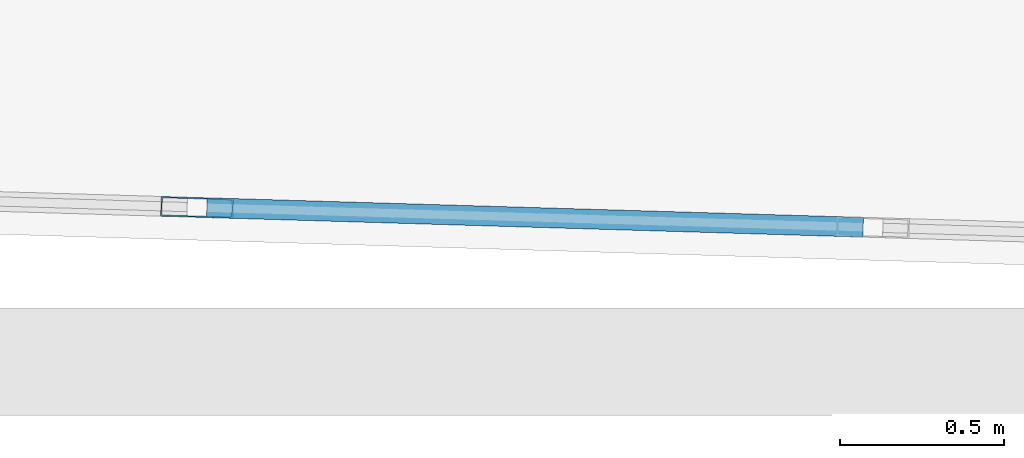
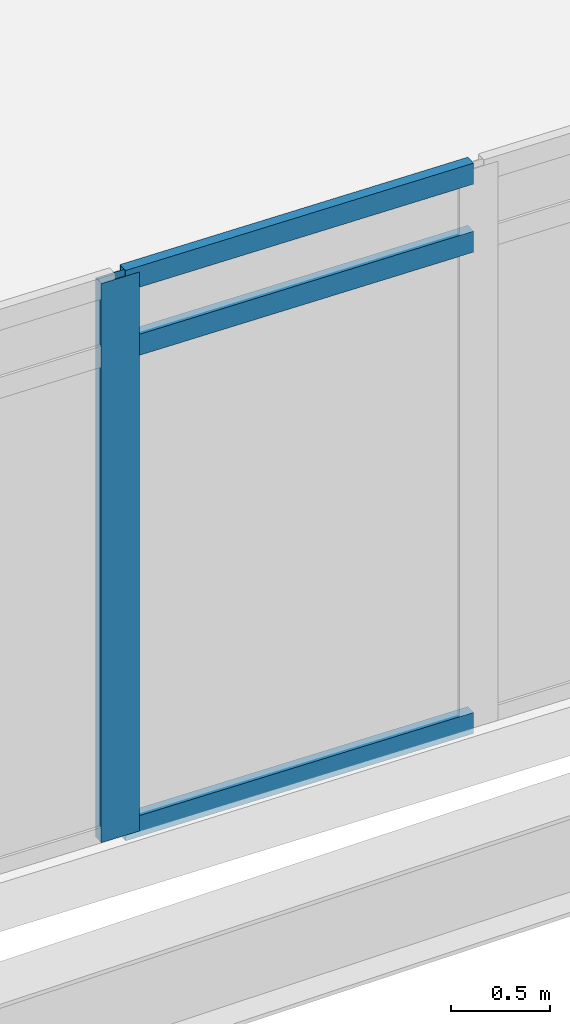
# One storey, part 5 of 28: 4 members, 1 element without a shape of its own.
"""IFC4 building model written with IfcOpenShell, lengths in metres."""

from ifc_helpers import new_model, si_unit, direction, frame, origin, origin_2d, place, context, subcontext, project, spatial, hollow_rectangle, extrude, material, material_profile, profile_set, type_object, element, aggregate, save


model = new_model("IFC4")

# Units and contexts
model_context = context("Model", 3, precision=1e-05, world=origin(), true_north=direction((0.0, 1.0)))
body_context = subcontext(model_context, "Body", "Model", "MODEL_VIEW")
ifc_project = project(units=[si_unit("LENGTHUNIT", "METRE"), si_unit("AREAUNIT", "SQUARE_METRE"), si_unit("VOLUMEUNIT", "CUBIC_METRE"), si_unit("PLANEANGLEUNIT", "RADIAN"), si_unit("MASSUNIT", "GRAM", prefix="KILO")], contexts=[model_context])

# Site, building, storey
site_placement = place(None, origin())
site = spatial("IfcSite", under=ifc_project, at=site_placement, CompositionType="ELEMENT")
building_placement = place(site_placement, origin())
building = spatial("IfcBuilding", under=site, at=building_placement, Name="Ostrander Bayou Hotel Tower", CompositionType="ELEMENT")
storey_placement = place(building_placement, frame((0.0, 0.0, 134.75)))
storey = spatial("IfcBuildingStorey", under=building, at=storey_placement, Name="L33", CompositionType="ELEMENT", Elevation=134.75)

# Curtain wall, members
ifc_material_1 = material(Name="Aluminium and clear glass", Category="aluminium")
curtain_wall_type = type_object("IfcCurtainWallType", Name="CW-BAR glazed wall", PredefinedType="NOTDEFINED", material=ifc_material_1)
curtain_wall_placement = place(storey_placement, origin())
curtain_wall = element("IfcCurtainWall", 1, at=curtain_wall_placement, inside=storey, type_object=curtain_wall_type, Name="CW-BAR L33:SB3S:T", PredefinedType="NOTDEFINED")
ifc_material_2 = material(Name="Aluminium", Category="aluminium")
ifc_material_profile_1 = material_profile(ifc_material_2, hollow_rectangle(XDim=0.06005859375, YDim=0.219970703125, WallThickness=0.00390625, at=origin_2d()))
ifc_profile_set_1 = profile_set([ifc_material_profile_1], Name="Aluminium")
member_type_1 = type_object("IfcMemberType", Name="CW-BR mullion 60 x 220 mm", PredefinedType="MULLION", material=ifc_profile_set_1)
member_1_placement = place(storey_placement, frame((1.0283203125, -30.980712890625, 0.0), z_axis=(0.0, 0.0, 1.0), x_axis=(0.029746242041, 0.999557482631, 0.0)))
member_1 = element("IfcMember", 2, at=member_1_placement, type_object=member_type_1, Name="CW-BAR mullion 8", PredefinedType="MULLION", context=body_context, shape_type="SweptSolid", body=[
    extrude(hollow_rectangle(XDim=0.06005859375, YDim=0.219970703125, WallThickness=0.00390625, at=origin_2d()), origin(), (0.0, 0.0, 1.0), 3.449951171875),
])
ifc_material_3 = material(Name="Aluminium", Category="aluminium")
ifc_material_profile_2 = material_profile(ifc_material_3, hollow_rectangle(XDim=0.06005859375, YDim=0.1298828125, WallThickness=0.00390625, at=origin_2d()))
ifc_profile_set_2 = profile_set([ifc_material_profile_2], Name="Aluminium")
member_type_2 = type_object("IfcMemberType", Name="CW-BR transom 60 x 130 mm", PredefinedType="USERDEFINED", material=ifc_profile_set_2)
member_2_placement = place(storey_placement, frame((1.058349609375, -30.9814453125, 0.030029296875), z_axis=(0.999555090424, -0.029826518535, 0.0), x_axis=(0.029826518535, 0.999555090424, 0.0)))
member_2 = element("IfcMember", 3, at=member_2_placement, type_object=member_type_2, Name="CW-BAR transom 8.1", ObjectType="TRANSOM", PredefinedType="USERDEFINED", context=body_context, shape_type="SweptSolid", body=[
    extrude(hollow_rectangle(XDim=0.06005859375, YDim=0.1298828125, WallThickness=0.00390625, at=origin_2d()), origin(), (0.0, 0.0, 1.0), 1.997314453125),
])
member_3_placement = place(storey_placement, frame((1.058349609375, -30.9814453125, 3.0), z_axis=(0.999555090424, -0.029826518535, 0.0), x_axis=(0.029826518535, 0.999555090424, 0.0)))
member_3 = element("IfcMember", 4, at=member_3_placement, type_object=member_type_2, Name="CW-BAR transom 8.2", ObjectType="TRANSOM", PredefinedType="USERDEFINED", context=body_context, shape_type="SweptSolid", body=[
    extrude(hollow_rectangle(XDim=0.06005859375, YDim=0.1298828125, WallThickness=0.00390625, at=origin_2d()), origin(), (0.0, 0.0, 1.0), 1.997314453125),
])
member_4_placement = place(storey_placement, frame((1.058349609375, -30.9814453125, 3.419921875), z_axis=(0.999555090424, -0.029826518535, 0.0), x_axis=(0.029826518535, 0.999555090424, 0.0)))
member_4 = element("IfcMember", 5, at=member_4_placement, type_object=member_type_2, Name="CW-BAR transom 8.3", ObjectType="TRANSOM", PredefinedType="USERDEFINED", context=body_context, shape_type="SweptSolid", body=[
    extrude(hollow_rectangle(XDim=0.06005859375, YDim=0.1298828125, WallThickness=0.00390625, at=origin_2d()), origin(), (0.0, 0.0, 1.0), 1.997314453125),
])
aggregate(curtain_wall, [member_1, member_2, member_3, member_4])

save(model, "model.ifc")
